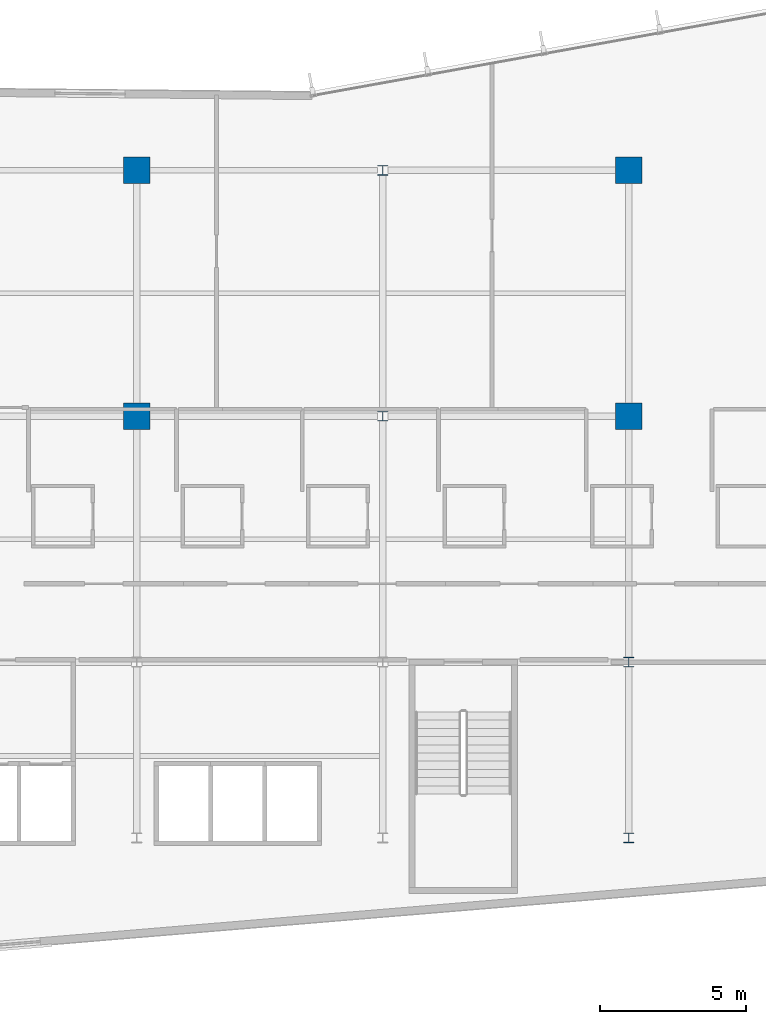
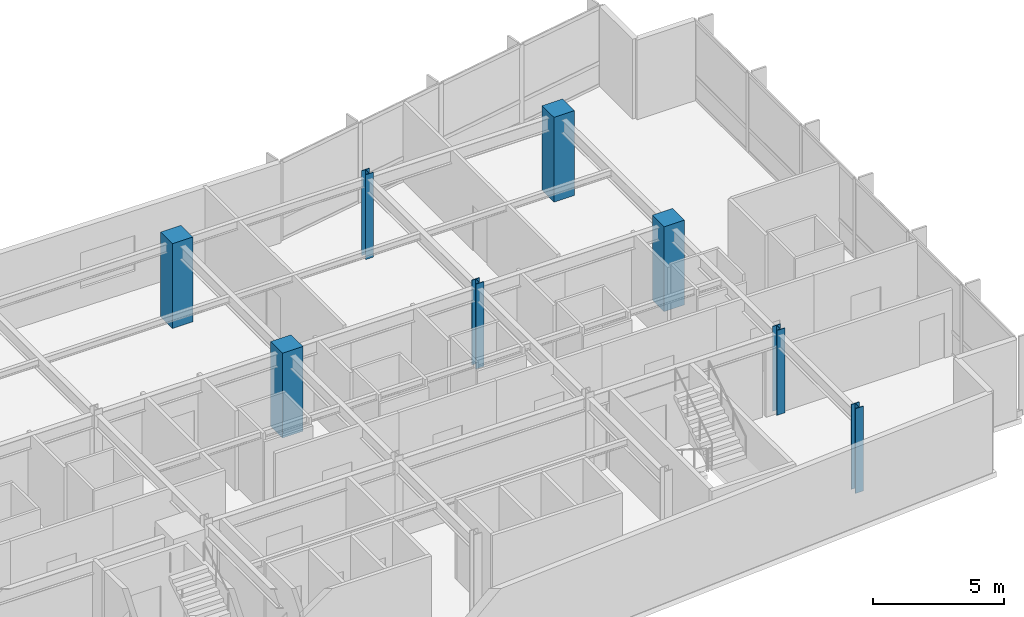
# One storey, part 2 of 21: 8 columns.
"""IFC4 building model written with IfcOpenShell, lengths in metres."""

import ifcopenshell
import ifcopenshell.guid

model = None  # the IFC model being written
_history = None  # IfcOwnerHistory: only IFC2X3 demands one
_inside = {}  # id of a spatial element -> (the spatial element, [elements in it])
_under = {}  # id of a project, library or spatial element -> (it, [spatial elements below it])
_declared = {}  # id of a project -> (the project, [libraries it declares])
_typed = {}  # id of a type object -> (the type object, [elements of that type])
_made_of = {}  # id of a material, layer set ... -> (it, [elements and type objects made of it])


def new_model(schema):
    """Start an empty IFC model of exactly this schema.

    Asked for "IFC4X3", IfcOpenShell would pick the latest addendum, in which some entities
    have other attributes; the version numbers below select the first issue.
    IFC2X3 requires an IfcOwnerHistory on every rooted entity: one is made here for all.
    """
    global model, _history
    if schema == "IFC4X3":
        model = ifcopenshell.file(schema_version=(4, 3, 0, 0))
    else:
        model = ifcopenshell.file(schema=schema)
    _inside.clear()
    _under.clear()
    _declared.clear()
    _typed.clear()
    _made_of.clear()
    _history = None
    if model.schema == "IFC2X3":
        org = make("IfcOrganization", Name="unknown")
        user = make(
            "IfcPersonAndOrganization",
            ThePerson=make("IfcPerson", FamilyName="unknown"),
            TheOrganization=org,
        )
        app = make(
            "IfcApplication",
            ApplicationDeveloper=org,
            Version="unknown",
            ApplicationFullName="unknown",
            ApplicationIdentifier="unknown",
        )
        _history = make(
            "IfcOwnerHistory",
            OwningUser=user,
            OwningApplication=app,
            ChangeAction="ADDED",
            CreationDate=0,
        )
    return model


def make(cls, **values):
    """One entity of the class cls with the attributes given. An attribute that is None is left unset."""
    return model.create_entity(
        cls, **{name: value for name, value in values.items() if value is not None}
    )


def rooted(cls, **values):
    """An entity with a GlobalId (a new one), such as an element, a storey or a relation."""
    return make(cls, GlobalId=ifcopenshell.guid.new(), OwnerHistory=_history, **values)


def si_unit(unit_type, name, prefix=None):
    """IfcSIUnit, for example si_unit("LENGTHUNIT", "METRE", prefix="MILLI")."""
    return make("IfcSIUnit", UnitType=unit_type, Prefix=prefix, Name=name)


def assignment(units):
    """IfcUnitAssignment: the units of a project."""
    return None if units is None else make("IfcUnitAssignment", Units=units)


def point(xyz):
    """IfcCartesianPoint."""
    return None if xyz is None else make("IfcCartesianPoint", Coordinates=xyz)


def direction(xyz):
    """IfcDirection."""
    return None if xyz is None else make("IfcDirection", DirectionRatios=xyz)


def frame(location, z_axis=None, x_axis=None):
    """IfcAxis2Placement3D, a coordinate frame: its origin and axes. An axis left out is left unset."""
    return make(
        "IfcAxis2Placement3D",
        Location=point(location),
        Axis=direction(z_axis),
        RefDirection=direction(x_axis),
    )


def frame_2d(location, x_axis=None):
    """IfcAxis2Placement2D, a coordinate frame in the plane: its origin and x axis."""
    return make(
        "IfcAxis2Placement2D", Location=point(location), RefDirection=direction(x_axis)
    )


def origin():
    """The frame at (0, 0, 0) with its axes left unset."""
    return frame((0.0, 0.0, 0.0))


def origin_2d():
    """The frame at (0, 0) in the plane with its x axis left unset."""
    return frame_2d((0.0, 0.0))


def place(relative_to, where):
    """IfcLocalPlacement: puts the frame where relative to a parent placement (None: the world)."""
    return make(
        "IfcLocalPlacement", PlacementRelTo=relative_to, RelativePlacement=where
    )


def context(
    kind, dimensions, precision=None, world=None, true_north=None, identifier=None
):
    """IfcGeometricRepresentationContext, for example the 3D "Model" context."""
    return make(
        "IfcGeometricRepresentationContext",
        ContextIdentifier=identifier,
        ContextType=kind,
        CoordinateSpaceDimension=dimensions,
        Precision=precision,
        WorldCoordinateSystem=world,
        TrueNorth=true_north,
    )


def subcontext(parent, identifier, kind, view, scale=None):
    """IfcGeometricRepresentationSubContext, for example "Body" below "Model"."""
    return make(
        "IfcGeometricRepresentationSubContext",
        ContextIdentifier=identifier,
        ContextType=kind,
        ParentContext=parent,
        TargetScale=scale,
        TargetView=view,
    )


def project(units=None, contexts=None):
    """IfcProject with its units and contexts."""
    return rooted(
        "IfcProject",
        Name="project",
        RepresentationContexts=contexts,
        UnitsInContext=assignment(units),
    )


def spatial(cls, under=None, at=None, **own):
    """A site, building, storey or space (cls), placed at a placement, below another one or the project."""
    s = rooted(cls, ObjectPlacement=at, **own)
    if under is not None:
        _under.setdefault(under.id(), (under, []))[1].append(s)
    return s


def profile(cls, at=None, kind="AREA", **sizes):
    """A parametric profile (cls). Its sizes go by their IFC names, for example OverallWidth=200.0."""
    return make(cls, ProfileType=kind, Position=at, **sizes)


def rectangle(**sizes):
    """IfcRectangleProfileDef."""
    return profile("IfcRectangleProfileDef", **sizes)


def i_section(**sizes):
    """IfcIShapeProfileDef."""
    return profile("IfcIShapeProfileDef", **sizes)


def extrude(swept, where, along, depth):
    """IfcExtrudedAreaSolid: the profile swept, set in the frame where, extruded along a direction by depth."""
    return make(
        "IfcExtrudedAreaSolid",
        SweptArea=swept,
        Position=where,
        ExtrudedDirection=direction(along),
        Depth=depth,
    )


def shape(context_of_items, identifier, shape_type, items):
    """IfcShapeRepresentation: the items that make up one representation, for example the "Body"."""
    return make(
        "IfcShapeRepresentation",
        ContextOfItems=context_of_items,
        RepresentationIdentifier=identifier,
        RepresentationType=shape_type,
        Items=items,
    )


def material(Name=None, Category=None):
    """IfcMaterial."""
    return make("IfcMaterial", Name=Name, Category=Category)


def material_profile(
    of_material, cross_section, Name=None, Category=None, Priority=None
):
    """IfcMaterialProfile: a cross section and its material."""
    return make(
        "IfcMaterialProfile",
        Name=Name,
        Material=of_material,
        Profile=cross_section,
        Priority=Priority,
        Category=Category,
    )


def profile_set(profiles, Name=None, composite=None):
    """IfcMaterialProfileSet."""
    return make(
        "IfcMaterialProfileSet",
        Name=Name,
        MaterialProfiles=profiles,
        CompositeProfile=composite,
    )


def made_of(thing, what):
    """Note that an element or type object is made of a material, layer set ...; save() writes the relation."""
    if what is not None:
        _made_of.setdefault(what.id(), (what, []))[1].append(thing)
    return thing


def type_object(cls, material=None, **own):
    """A type object (cls), such as IfcWallType, which elements share."""
    return made_of(rooted(cls, **own), material)


def element(
    cls,
    number,
    at=None,
    inside=None,
    cuts=None,
    type_object=None,
    material=None,
    context=None,
    identifier="Body",
    shape_type=None,
    held_by="IfcProductDefinitionShape",
    body=None,
    shapes=None,
    **own,
):
    """One element of the class cls, such as IfcWall. Its Tag is "e" and its number.

    at: its placement. inside: the storey or other place that contains it. cuts: it is an
    opening in that element (IfcRelVoidsElement). A single representation is given by context,
    identifier, shape_type and body (its items); several are given by shapes. held_by: the class
    of the entity that holds the representations. save() writes the other relations.
    """
    e = rooted(cls, Tag="e%d" % number, ObjectPlacement=at, **own)
    if body is not None:
        shapes = [shape(context, identifier, shape_type, body)]
    if shapes is not None:
        e.Representation = make(held_by, Representations=shapes)
    if inside is not None:
        _inside.setdefault(inside.id(), (inside, []))[1].append(e)
    if cuts is not None:
        rooted(
            "IfcRelVoidsElement", RelatingBuildingElement=cuts, RelatedOpeningElement=e
        )
    if type_object is not None:
        _typed.setdefault(type_object.id(), (type_object, []))[1].append(e)
    return made_of(e, material)


def aggregate(whole, parts):
    """IfcRelAggregates: a whole, such as a stair, and the parts it consists of."""
    return rooted("IfcRelAggregates", RelatingObject=whole, RelatedObjects=parts)


def save(model, path):
    """Write the relations noted so far, then the file.

    IfcRelAggregates (storeys below a building ...), IfcRelContainedInSpatialStructure (elements
    in a storey), IfcRelDefinesByType, IfcRelAssociatesMaterial and IfcRelDeclares: one each for
    every whole, place, type object, material and project.
    """
    for whole, parts in _under.values():
        aggregate(whole, parts)
    for where, things in _inside.values():
        rooted(
            "IfcRelContainedInSpatialStructure",
            RelatedElements=things,
            RelatingStructure=where,
        )
    for kind, things in _typed.values():
        rooted("IfcRelDefinesByType", RelatedObjects=things, RelatingType=kind)
    for what, things in _made_of.values():
        rooted("IfcRelAssociatesMaterial", RelatedObjects=things, RelatingMaterial=what)
    for by, libraries in _declared.values():
        rooted("IfcRelDeclares", RelatingContext=by, RelatedDefinitions=libraries)
    model.write(path)


model = new_model("IFC4")

# Units and contexts
model_context = context("Model", 3, precision=1e-05, world=origin(), true_north=direction((0.0, 1.0)))
body_context = subcontext(model_context, "Body", "Model", "MODEL_VIEW")
ifc_project = project(units=[si_unit("LENGTHUNIT", "METRE"), si_unit("AREAUNIT", "SQUARE_METRE"), si_unit("VOLUMEUNIT", "CUBIC_METRE"), si_unit("PLANEANGLEUNIT", "RADIAN"), si_unit("MASSUNIT", "GRAM", prefix="KILO")], contexts=[model_context])

# Site, building, storey
site_placement = place(None, origin())
site = spatial("IfcSite", under=ifc_project, at=site_placement, CompositionType="ELEMENT")
building_placement = place(site_placement, origin())
building = spatial("IfcBuilding", under=site, at=building_placement, Name="Varnakote Quay Hospital", CompositionType="ELEMENT")
storey_placement = place(building_placement, frame((0.0, 0.0, 42.25)))
storey = spatial("IfcBuildingStorey", under=building, at=storey_placement, Name="L10", CompositionType="ELEMENT", Elevation=42.25)

# Columns
ifc_material_1 = material(Name="Concrete N50 (f'c 50 MPa)", Category="concrete")
ifc_material_profile_1 = material_profile(ifc_material_1, rectangle(XDim=0.89990234375, YDim=0.89990234375, at=origin_2d()), Name="RC-COL-900x900")
ifc_profile_set_1 = profile_set([ifc_material_profile_1], Name="Concrete N50 (f'c 50 MPa)")
column_type_1 = type_object("IfcColumnType", Name="COL-RC-900", PredefinedType="COLUMN", material=ifc_profile_set_1)
for number, where, z_axis, x_axis, name in (
    (1, (33.60009765625, 20.39990234375, 0.0), (0.0, 0.0, 1.0), (1.0, 0.0, 0.0), "L10 Structural Column C-34-20"),
    (2, (50.39990234375, 20.39990234375, 0.0), (0.0, 0.0, 1.0), (1.0, 0.0, 0.0), "L10 Structural Column C-50-20"),
    (3, (33.60009765625, 28.800048828125, 0.0), (0.0, 0.0, 1.0), (1.0, 0.0, 0.0), "L10 Structural Column C-34-29"),
    (4, (50.39990234375, 28.800048828125, 0.0), (0.0, 0.0, 1.0), (1.0, 0.0, 0.0), "L10 Structural Column C-50-29"),
):
    element("IfcColumn", number, at=place(storey_placement, frame(where, z_axis=z_axis, x_axis=x_axis)), inside=storey, type_object=column_type_1, Name=name, PredefinedType="COLUMN", context=body_context, shape_type="SweptSolid", body=[
        extrude(rectangle(XDim=0.89990234375, YDim=0.89990234375, at=origin_2d()), origin(), (0.0, 0.0, 1.0), 3.949951171875),
    ])
ifc_material_2 = material(Name="Structural steel AS/NZS 3678 Grade 350 (fy 340 MPa)", Category="steel")
ifc_material_profile_2 = material_profile(ifc_material_2, i_section(OverallWidth=0.35009765625, OverallDepth=0.340087890625, WebThickness=0.01611328125, FlangeThickness=0.028076171875, at=origin_2d()), Name="350WC197")
ifc_profile_set_2 = profile_set([ifc_material_profile_2], Name="Structural steel AS/NZS 3678 Grade 350 (fy 340 MPa)")
column_type_2 = type_object("IfcColumnType", Name="COL-STL-350WC197", PredefinedType="COLUMN", material=ifc_profile_set_2)
for number, where, z_axis, x_axis, name in (
    (5, (50.39990234375, 6.0, 0.0), (0.0, 0.0, 1.0), (1.0, 0.0, 0.0), "L10 Structural Column C-50-6"),
    (6, (50.39990234375, 12.0, 0.0), (0.0, 0.0, 1.0), (1.0, 0.0, 0.0), "L10 Structural Column C-50-12"),
    (7, (42.0, 20.39990234375, 0.0), (0.0, 0.0, 1.0), (1.0, 0.0, 0.0), "L10 Structural Column C-42-20"),
    (8, (42.0, 28.800048828125, 0.0), (0.0, 0.0, 1.0), (1.0, 0.0, 0.0), "L10 Structural Column C-42-29"),
):
    element("IfcColumn", number, at=place(storey_placement, frame(where, z_axis=z_axis, x_axis=x_axis)), inside=storey, type_object=column_type_2, Name=name, PredefinedType="COLUMN", context=body_context, shape_type="SweptSolid", body=[
        extrude(i_section(OverallWidth=0.35009765625, OverallDepth=0.340087890625, WebThickness=0.01611328125, FlangeThickness=0.028076171875, at=origin_2d()), origin(), (0.0, 0.0, 1.0), 3.949951171875),
    ])

save(model, "model.ifc")
